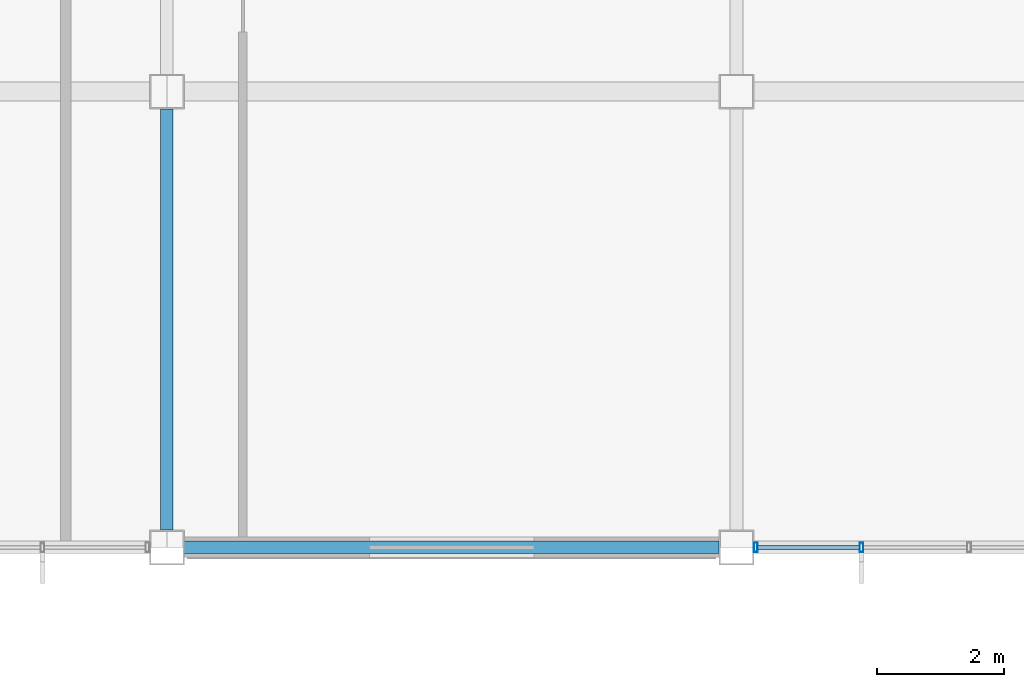
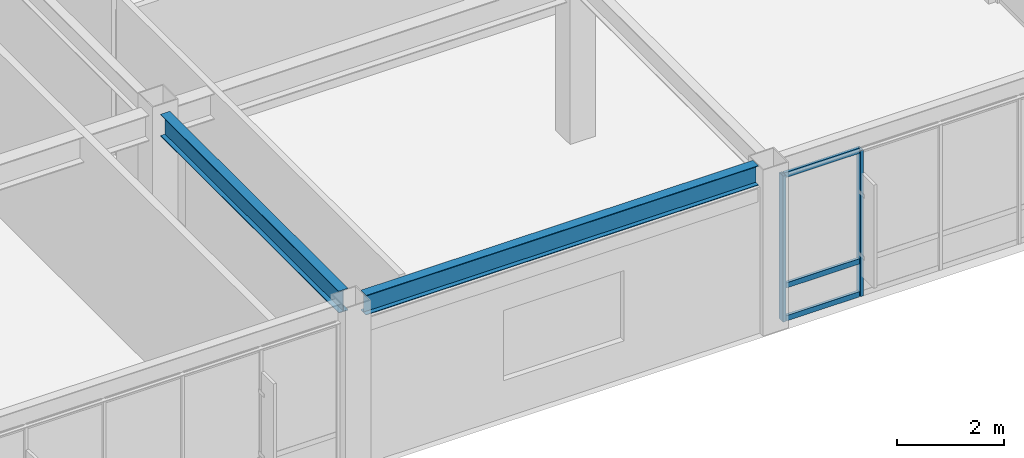
# One storey, part 29 of 113: 5 members, 2 beams, 1 element without a shape of its own.
"""IFC4 building model written with IfcOpenShell, lengths in metres."""

from ifc_helpers import new_model, si_unit, direction, frame, origin, origin_2d, place, context, subcontext, project, spatial, hollow_rectangle, i_section, extrude, material, material_profile, profile_set, type_object, element, aggregate, save


model = new_model("IFC4")

# Units and contexts
model_context = context("Model", 3, precision=1e-05, world=origin(), true_north=direction((0.0, 1.0)))
body_context = subcontext(model_context, "Body", "Model", "MODEL_VIEW")
ifc_project = project(units=[si_unit("LENGTHUNIT", "METRE"), si_unit("AREAUNIT", "SQUARE_METRE"), si_unit("VOLUMEUNIT", "CUBIC_METRE"), si_unit("PLANEANGLEUNIT", "RADIAN"), si_unit("MASSUNIT", "GRAM", prefix="KILO")], contexts=[model_context])

# Site, building, storey
site_placement = place(None, origin())
site = spatial("IfcSite", under=ifc_project, at=site_placement, CompositionType="ELEMENT")
building_placement = place(site_placement, origin())
building = spatial("IfcBuilding", under=site, at=building_placement, Name="Kazanami Central Library", CompositionType="ELEMENT")
storey_placement = place(building_placement, frame((0.0, 0.0, 8.800048828125)))
storey = spatial("IfcBuildingStorey", under=building, at=storey_placement, Name="L03", CompositionType="ELEMENT", Elevation=8.800048828125)

# Beams
ifc_material_1 = material(Name="Steel SN490B (325 MPa)", Category="steel")
ifc_material_profile_1 = material_profile(ifc_material_1, i_section(OverallWidth=0.199951171875, OverallDepth=0.5, WebThickness=0.010009765625, FlangeThickness=0.01611328125, at=origin_2d()), Name="H-500x200x10x16")
ifc_profile_set_1 = profile_set([ifc_material_profile_1], Name="Steel SN490B (325 MPa)")
beam_type_1 = type_object("IfcBeamType", Name="BM-G-Y2", PredefinedType="BEAM", material=ifc_profile_set_1)
beam_1_placement = place(storey_placement, frame((18.0, 57.873046875, 3.530029296875), z_axis=(0.0, 1.0, 0.0), x_axis=(-1.0, 0.0, 0.0)))
element("IfcBeam", 1, at=beam_1_placement, inside=storey, type_object=beam_type_1, Name="Girder G-Y2 L03 3/J-K", PredefinedType="BEAM", context=body_context, shape_type="SweptSolid", body=[
    extrude(i_section(OverallWidth=0.199951171875, OverallDepth=0.5, WebThickness=0.010009765625, FlangeThickness=0.01611328125, at=origin_2d()), origin(), (0.0, 0.0, 1.0), 6.654052734375),
])
ifc_material_profile_2 = material_profile(ifc_material_1, i_section(OverallWidth=0.199951171875, OverallDepth=0.449951171875, WebThickness=0.009033203125, FlangeThickness=0.013916015625, at=origin_2d()), Name="H-450x200x9x14")
ifc_profile_set_2 = profile_set([ifc_material_profile_2], Name="Steel SN490B (325 MPa)")
beam_type_2 = type_object("IfcBeamType", Name="BM-SP-2", PredefinedType="SPANDREL", material=ifc_profile_set_2)
beam_2_placement = place(storey_placement, frame((18.27294921875, 57.60009765625, 3.554931640625), z_axis=(1.0, 0.0, 0.0), x_axis=(0.0, 1.0, 0.0)))
element("IfcBeam", 2, at=beam_2_placement, inside=storey, type_object=beam_type_2, Name="Girder SP-2 L03 J/3-4", PredefinedType="SPANDREL", context=body_context, shape_type="SweptSolid", body=[
    extrude(i_section(OverallWidth=0.199951171875, OverallDepth=0.449951171875, WebThickness=0.009033203125, FlangeThickness=0.013916015625, at=origin_2d()), origin(), (0.0, 0.0, 1.0), 8.4541015625),
])

# Curtain wall, members
ifc_material_2 = material(Name="Acid-Etched Low-E Laminated Glass", Category="glass")
curtain_wall_type = type_object("IfcCurtainWallType", Name="CW-8500x3330-M180", PredefinedType="USERDEFINED", material=ifc_material_2)
curtain_wall_placement = place(storey_placement, origin())
curtain_wall = element("IfcCurtainWall", 3, at=curtain_wall_placement, inside=storey, type_object=curtain_wall_type, Name="Unitised Curtain Wall CW-28 L03 S-J-03", ObjectType="UNITISED CURTAIN WALL", PredefinedType="USERDEFINED")
ifc_material_3 = material(Name="Anodised Aluminium A6063-T5", Category="aluminium")
ifc_material_profile_3 = material_profile(ifc_material_3, hollow_rectangle(XDim=0.06005859375, YDim=0.14990234375, WallThickness=0.00390625, at=origin_2d()), Name="ALU-MULL-60x150x4")
ifc_profile_set_3 = profile_set([ifc_material_profile_3], Name="Anodised Aluminium A6063-T5")
member_type_1 = type_object("IfcMemberType", Name="MEM-CW-M3", PredefinedType="MULLION", material=ifc_profile_set_3)
member_1_placement = place(storey_placement, frame((27.304931640625, 57.60009765625, 0.0), z_axis=(0.0, 0.0, 1.0), x_axis=(1.0, 0.0, 0.0)))
member_1 = element("IfcMember", 4, at=member_1_placement, type_object=member_type_1, Name="CW-28 mullion 1", PredefinedType="MULLION", context=body_context, shape_type="SweptSolid", body=[
    extrude(hollow_rectangle(XDim=0.06005859375, YDim=0.14990234375, WallThickness=0.00390625, at=origin_2d()), origin(), (0.0, 0.0, 1.0), 3.329833984375),
])
member_2_placement = place(storey_placement, frame((28.97509765625, 57.60009765625, 0.0), z_axis=(0.0, 0.0, 1.0), x_axis=(1.0, 0.0, 0.0)))
member_2 = element("IfcMember", 5, at=member_2_placement, type_object=member_type_1, Name="CW-28 mullion 2", PredefinedType="MULLION", context=body_context, shape_type="SweptSolid", body=[
    extrude(hollow_rectangle(XDim=0.06005859375, YDim=0.14990234375, WallThickness=0.00390625, at=origin_2d()), origin(), (0.0, 0.0, 1.0), 3.329833984375),
])
ifc_material_profile_4 = material_profile(ifc_material_3, hollow_rectangle(XDim=0.06005859375, YDim=0.1201171875, WallThickness=0.00341796875, at=origin_2d()), Name="ALU-TRAN-60x120x3.5")
ifc_profile_set_4 = profile_set([ifc_material_profile_4], Name="Anodised Aluminium A6063-T5")
member_type_2 = type_object("IfcMemberType", Name="MEM-CW-T3", PredefinedType="USERDEFINED", material=ifc_profile_set_4)
member_3_placement = place(storey_placement, frame((27.3349609375, 57.60009765625, 0.030029296875), z_axis=(1.0, 0.0, 0.0), x_axis=(0.0, 1.0, 0.0)))
member_3 = element("IfcMember", 6, at=member_3_placement, type_object=member_type_2, Name="CW-28 transom 1.1", ObjectType="TRANSOM", PredefinedType="USERDEFINED", context=body_context, shape_type="SweptSolid", body=[
    extrude(hollow_rectangle(XDim=0.06005859375, YDim=0.1201171875, WallThickness=0.00341796875, at=origin_2d()), origin(), (0.0, 0.0, 1.0), 1.610107421875),
])
member_4_placement = place(storey_placement, frame((27.3349609375, 57.60009765625, 0.780029296875), z_axis=(1.0, 0.0, 0.0), x_axis=(0.0, 1.0, 0.0)))
member_4 = element("IfcMember", 7, at=member_4_placement, type_object=member_type_2, Name="CW-28 transom 1.2", ObjectType="TRANSOM", PredefinedType="USERDEFINED", context=body_context, shape_type="SweptSolid", body=[
    extrude(hollow_rectangle(XDim=0.06005859375, YDim=0.1201171875, WallThickness=0.00341796875, at=origin_2d()), origin(), (0.0, 0.0, 1.0), 1.610107421875),
])
member_5_placement = place(storey_placement, frame((27.3349609375, 57.60009765625, 3.300048828125), z_axis=(1.0, 0.0, 0.0), x_axis=(0.0, 1.0, 0.0)))
member_5 = element("IfcMember", 8, at=member_5_placement, type_object=member_type_2, Name="CW-28 transom 1.3", ObjectType="TRANSOM", PredefinedType="USERDEFINED", context=body_context, shape_type="SweptSolid", body=[
    extrude(hollow_rectangle(XDim=0.06005859375, YDim=0.1201171875, WallThickness=0.00341796875, at=origin_2d()), origin(), (0.0, 0.0, 1.0), 1.610107421875),
])
aggregate(curtain_wall, [member_1, member_2, member_3, member_4, member_5])

save(model, "model.ifc")
